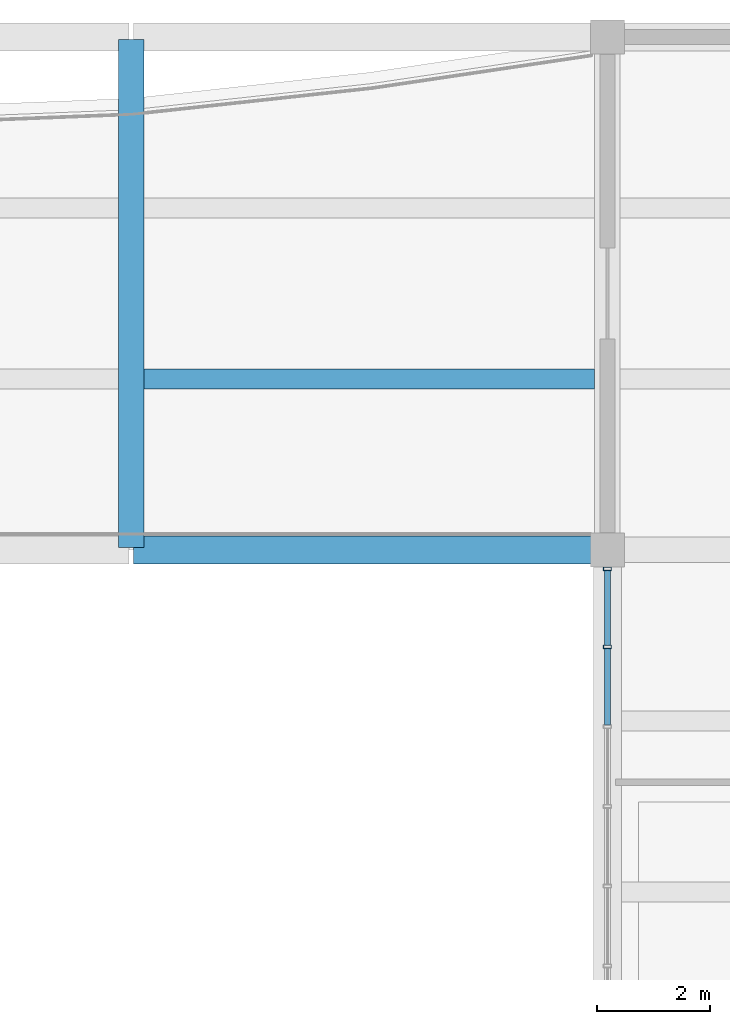
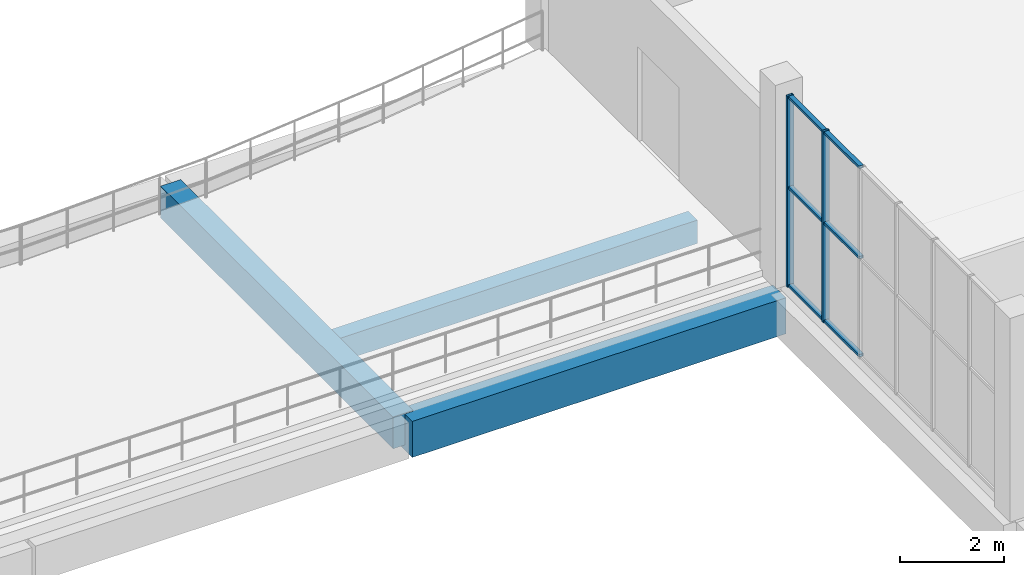
# One storey, part 28 of 80: 8 members, 3 beams, 1 element without a shape of its own.
"""IFC4 building model written with IfcOpenShell, lengths in metres."""

from ifc_helpers import new_model, si_unit, direction, frame, origin, origin_2d, place, context, subcontext, project, spatial, rectangle, hollow_rectangle, extrude, material, material_profile, profile_set, type_object, element, aggregate, save


model = new_model("IFC4")

# Units and contexts
model_context = context("Model", 3, precision=1e-05, world=origin(), true_north=direction((0.0, 1.0)))
body_context = subcontext(model_context, "Body", "Model", "MODEL_VIEW")
ifc_project = project(units=[si_unit("LENGTHUNIT", "METRE"), si_unit("AREAUNIT", "SQUARE_METRE"), si_unit("VOLUMEUNIT", "CUBIC_METRE"), si_unit("PLANEANGLEUNIT", "RADIAN"), si_unit("MASSUNIT", "GRAM", prefix="KILO")], contexts=[model_context])

# Site, building, storey
site_placement = place(None, origin())
site = spatial("IfcSite", under=ifc_project, at=site_placement, CompositionType="ELEMENT")
building_placement = place(site_placement, origin())
building = spatial("IfcBuilding", under=site, at=building_placement, Name="Khurvash Pelagic Aquarium", CompositionType="ELEMENT")
storey_placement = place(building_placement, frame((0.0, 0.0, 10.800048828125)))
storey = spatial("IfcBuildingStorey", under=building, at=storey_placement, Name="L02", CompositionType="ELEMENT", Elevation=10.800048828125)

# Beam
ifc_material_1 = material(Name="Concrete C35/45", Category="concrete")
ifc_material_profile_1 = material_profile(ifc_material_1, rectangle(XDim=0.449951171875, YDim=0.75, at=origin_2d()), Name="RC450X750")
ifc_profile_set_1 = profile_set([ifc_material_profile_1], Name="Concrete C35/45")
beam_type_1 = type_object("IfcBeamType", Name="BM-04", PredefinedType="BEAM", material=ifc_profile_set_1)
beam_1_placement = place(storey_placement, frame((50.39990234375, 93.139892578125, -0.675048828125), z_axis=(0.0, 1.0, 0.0), x_axis=(-1.0, 0.0, 0.0)))
element("IfcBeam", 1, at=beam_1_placement, inside=storey, type_object=beam_type_1, Name="L02 Primary Girder BM-04 00680", PredefinedType="BEAM", context=body_context, shape_type="SweptSolid", body=[
    extrude(rectangle(XDim=0.449951171875, YDim=0.75, at=origin_2d()), origin(), (0.0, 0.0, 1.0), 8.97021484375),
])

# Curtain wall, members
ifc_material_2 = material(Name="Anodised aluminium and low-E laminated glass", Category="aluminium")
curtain_wall_type = type_object("IfcCurtainWallType", Name="CW-03", PredefinedType="USERDEFINED", material=ifc_material_2)
curtain_wall_placement = place(storey_placement, origin())
curtain_wall = element("IfcCurtainWall", 2, at=curtain_wall_placement, inside=storey, type_object=curtain_wall_type, Name="L02 Facade Unitised Curtain Wall CW-03 0169", ObjectType="UNITISED CURTAIN WALL", PredefinedType="USERDEFINED")
ifc_material_3 = material(Name="Extruded aluminium AW-6063-T6", Category="aluminium")
ifc_material_profile_2 = material_profile(ifc_material_3, hollow_rectangle(XDim=0.06005859375, YDim=0.139892578125, WallThickness=0.00390625, at=origin_2d()), Name="CWM60X140X4")
ifc_profile_set_2 = profile_set([ifc_material_profile_2], Name="Extruded aluminium AW-6063-T6")
member_type_1 = type_object("IfcMemberType", Name="CM-03", PredefinedType="MULLION", material=ifc_profile_set_2)
member_1_placement = place(storey_placement, frame((58.800048828125, 92.764892578125, 0.0), z_axis=(0.0, 0.0, 1.0), x_axis=(0.0, -1.0, 0.0)))
member_1 = element("IfcMember", 3, at=member_1_placement, type_object=member_type_1, Name="CW-03 mullion 1", PredefinedType="MULLION", context=body_context, shape_type="SweptSolid", body=[
    extrude(hollow_rectangle(XDim=0.06005859375, YDim=0.139892578125, WallThickness=0.00390625, at=origin_2d()), origin(), (0.0, 0.0, 1.0), 4.5),
])
member_2_placement = place(storey_placement, frame((58.800048828125, 91.388427734375, 0.0), z_axis=(0.0, 0.0, 1.0), x_axis=(0.0, -1.0, 0.0)))
member_2 = element("IfcMember", 4, at=member_2_placement, type_object=member_type_1, Name="CW-03 mullion 2", PredefinedType="MULLION", context=body_context, shape_type="SweptSolid", body=[
    extrude(hollow_rectangle(XDim=0.06005859375, YDim=0.139892578125, WallThickness=0.00390625, at=origin_2d()), origin(), (0.0, 0.0, 1.0), 4.5),
])
ifc_material_profile_3 = material_profile(ifc_material_3, hollow_rectangle(XDim=0.10009765625, YDim=0.06005859375, WallThickness=0.00390625, at=origin_2d()), Name="CWT100X60X4")
ifc_profile_set_3 = profile_set([ifc_material_profile_3], Name="Extruded aluminium AW-6063-T6")
member_type_2 = type_object("IfcMemberType", Name="CT-03", PredefinedType="USERDEFINED", material=ifc_profile_set_3)
member_3_placement = place(storey_placement, frame((58.800048828125, 92.735107421875, 0.030029296875), z_axis=(0.0, -1.0, 0.0), x_axis=(1.0, 0.0, 0.0)))
member_3 = element("IfcMember", 5, at=member_3_placement, type_object=member_type_2, Name="CW-03 transom 1.1", ObjectType="TRANSOM", PredefinedType="USERDEFINED", context=body_context, shape_type="SweptSolid", body=[
    extrude(hollow_rectangle(XDim=0.10009765625, YDim=0.06005859375, WallThickness=0.00390625, at=origin_2d()), origin(), (0.0, 0.0, 1.0), 1.31689453125),
])
member_4_placement = place(storey_placement, frame((58.800048828125, 92.735107421875, 2.33984375), z_axis=(0.0, -1.0, 0.0), x_axis=(1.0, 0.0, 0.0)))
member_4 = element("IfcMember", 6, at=member_4_placement, type_object=member_type_2, Name="CW-03 transom 1.2", ObjectType="TRANSOM", PredefinedType="USERDEFINED", context=body_context, shape_type="SweptSolid", body=[
    extrude(hollow_rectangle(XDim=0.10009765625, YDim=0.06005859375, WallThickness=0.00390625, at=origin_2d()), origin(), (0.0, 0.0, 1.0), 1.31689453125),
])
member_5_placement = place(storey_placement, frame((58.800048828125, 92.735107421875, 4.469970703125), z_axis=(0.0, -1.0, 0.0), x_axis=(1.0, 0.0, 0.0)))
member_5 = element("IfcMember", 7, at=member_5_placement, type_object=member_type_2, Name="CW-03 transom 1.3", ObjectType="TRANSOM", PredefinedType="USERDEFINED", context=body_context, shape_type="SweptSolid", body=[
    extrude(hollow_rectangle(XDim=0.10009765625, YDim=0.06005859375, WallThickness=0.00390625, at=origin_2d()), origin(), (0.0, 0.0, 1.0), 1.31689453125),
])
member_6_placement = place(storey_placement, frame((58.800048828125, 91.3583984375, 0.030029296875), z_axis=(0.0, -1.0, 0.0), x_axis=(1.0, 0.0, 0.0)))
member_6 = element("IfcMember", 8, at=member_6_placement, type_object=member_type_2, Name="CW-03 transom 2.1", ObjectType="TRANSOM", PredefinedType="USERDEFINED", context=body_context, shape_type="SweptSolid", body=[
    extrude(hollow_rectangle(XDim=0.10009765625, YDim=0.06005859375, WallThickness=0.00390625, at=origin_2d()), origin(), (0.0, 0.0, 1.0), 1.3466796875),
])
member_7_placement = place(storey_placement, frame((58.800048828125, 91.3583984375, 2.33984375), z_axis=(0.0, -1.0, 0.0), x_axis=(1.0, 0.0, 0.0)))
member_7 = element("IfcMember", 9, at=member_7_placement, type_object=member_type_2, Name="CW-03 transom 2.2", ObjectType="TRANSOM", PredefinedType="USERDEFINED", context=body_context, shape_type="SweptSolid", body=[
    extrude(hollow_rectangle(XDim=0.10009765625, YDim=0.06005859375, WallThickness=0.00390625, at=origin_2d()), origin(), (0.0, 0.0, 1.0), 1.3466796875),
])
member_8_placement = place(storey_placement, frame((58.800048828125, 91.3583984375, 4.469970703125), z_axis=(0.0, -1.0, 0.0), x_axis=(1.0, 0.0, 0.0)))
member_8 = element("IfcMember", 10, at=member_8_placement, type_object=member_type_2, Name="CW-03 transom 2.3", ObjectType="TRANSOM", PredefinedType="USERDEFINED", context=body_context, shape_type="SweptSolid", body=[
    extrude(hollow_rectangle(XDim=0.10009765625, YDim=0.06005859375, WallThickness=0.00390625, at=origin_2d()), origin(), (0.0, 0.0, 1.0), 1.3466796875),
])
aggregate(curtain_wall, [member_1, member_2, member_3, member_4, member_5, member_6, member_7, member_8])

# Beams
ifc_material_profile_4 = material_profile(ifc_material_1, rectangle(XDim=0.35009765625, YDim=0.550048828125, at=origin_2d()), Name="RC350X550")
ifc_profile_set_4 = profile_set([ifc_material_profile_4], Name="Concrete C35/45")
beam_type_2 = type_object("IfcBeamType", Name="JS-01", PredefinedType="JOIST", material=ifc_profile_set_4)
beam_2_placement = place(storey_placement, frame((50.625, 96.116943359375, -0.574951171875), z_axis=(1.0, 0.0, 0.0), x_axis=(0.0, 1.0, 0.0)))
element("IfcBeam", 11, at=beam_2_placement, inside=storey, type_object=beam_type_2, Name="L02 Floor Joist JS-01 00771", PredefinedType="JOIST", context=body_context, shape_type="SweptSolid", body=[
    extrude(rectangle(XDim=0.35009765625, YDim=0.550048828125, at=origin_2d()), origin(), (0.0, 0.0, 1.0), 7.949951171875),
])
ifc_material_4 = material(Name="Concrete C40/50", Category="concrete")
ifc_material_profile_5 = material_profile(ifc_material_4, rectangle(XDim=0.5, YDim=0.85009765625, at=origin_2d()), Name="RC500X850")
ifc_profile_set_5 = profile_set([ifc_material_profile_5], Name="Concrete C40/50")
beam_type_3 = type_object("IfcBeamType", Name="SEB-03", PredefinedType="SPANDREL", material=ifc_profile_set_5)
beam_3_placement = place(storey_placement, frame((50.43994140625, 93.10009765625, -0.7451171875), z_axis=(1.0, 0.0, 0.0), x_axis=(0.0, 1.0, 0.0)))
element("IfcBeam", 12, at=beam_3_placement, inside=storey, type_object=beam_type_3, Name="L02 Primary Girder SEB-03 00631", PredefinedType="SPANDREL", context=body_context, shape_type="SweptSolid", body=[
    extrude(rectangle(XDim=0.5, YDim=0.85009765625, at=origin_2d()), origin(), (0.0, 0.0, 1.0), 8.320068359375),
])

save(model, "model.ifc")
